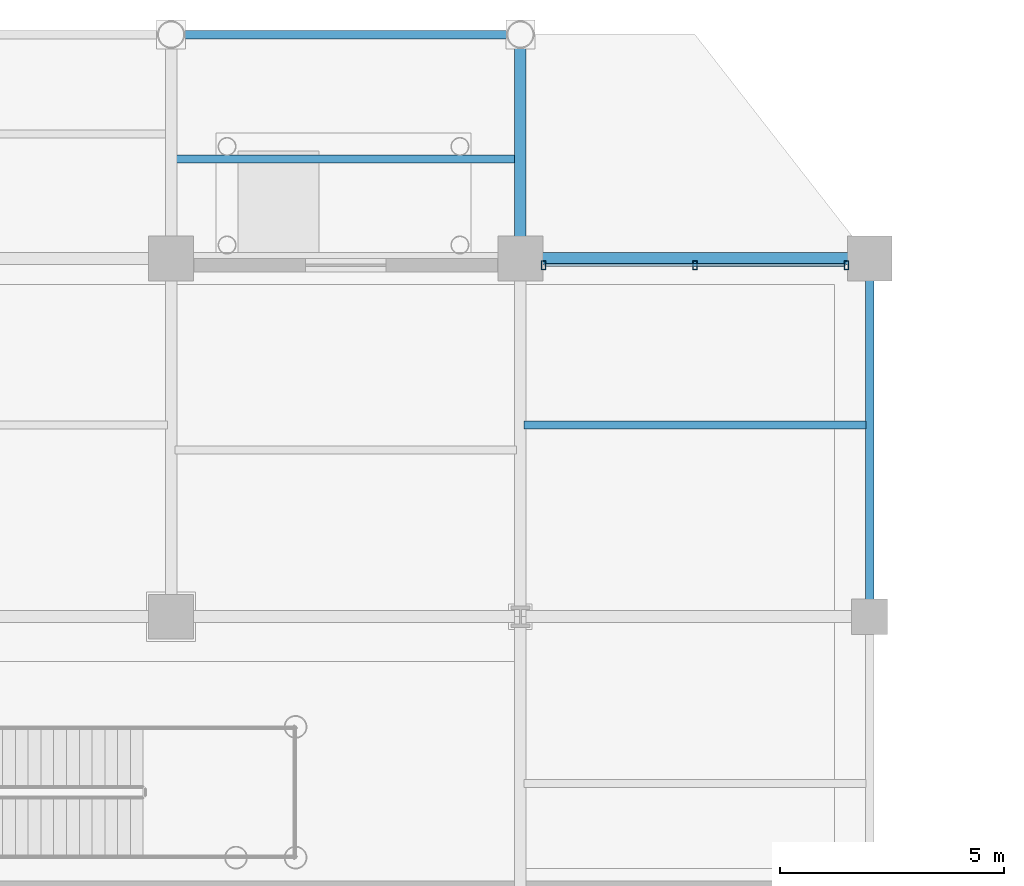
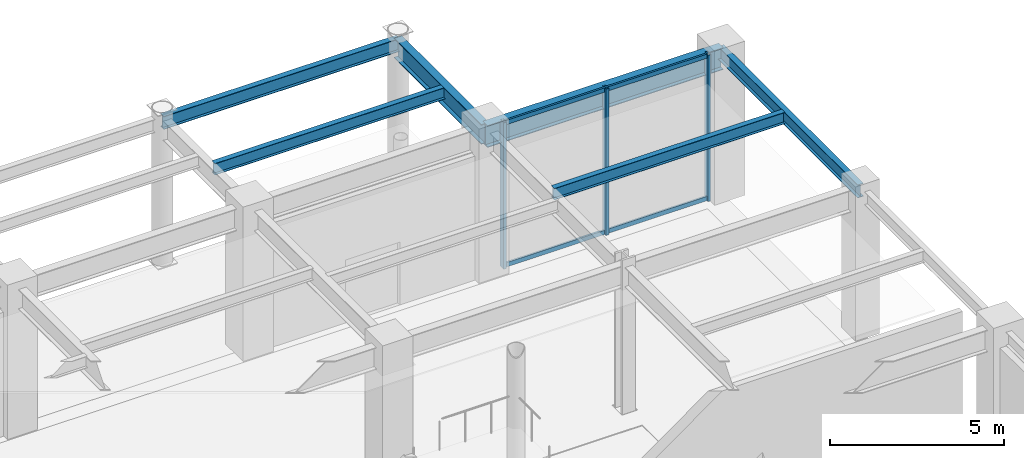
# One storey, part 17 of 27: 6 beams, 5 members, 1 element without a shape of its own.
"""IFC4 building model written with IfcOpenShell, lengths in metres."""

import ifcopenshell
import ifcopenshell.guid

model = None  # the IFC model being written
_history = None  # IfcOwnerHistory: only IFC2X3 demands one
_inside = {}  # id of a spatial element -> (the spatial element, [elements in it])
_under = {}  # id of a project, library or spatial element -> (it, [spatial elements below it])
_declared = {}  # id of a project -> (the project, [libraries it declares])
_typed = {}  # id of a type object -> (the type object, [elements of that type])
_made_of = {}  # id of a material, layer set ... -> (it, [elements and type objects made of it])


def new_model(schema):
    """Start an empty IFC model of exactly this schema.

    Asked for "IFC4X3", IfcOpenShell would pick the latest addendum, in which some entities
    have other attributes; the version numbers below select the first issue.
    IFC2X3 requires an IfcOwnerHistory on every rooted entity: one is made here for all.
    """
    global model, _history
    if schema == "IFC4X3":
        model = ifcopenshell.file(schema_version=(4, 3, 0, 0))
    else:
        model = ifcopenshell.file(schema=schema)
    _inside.clear()
    _under.clear()
    _declared.clear()
    _typed.clear()
    _made_of.clear()
    _history = None
    if model.schema == "IFC2X3":
        org = make("IfcOrganization", Name="unknown")
        user = make(
            "IfcPersonAndOrganization",
            ThePerson=make("IfcPerson", FamilyName="unknown"),
            TheOrganization=org,
        )
        app = make(
            "IfcApplication",
            ApplicationDeveloper=org,
            Version="unknown",
            ApplicationFullName="unknown",
            ApplicationIdentifier="unknown",
        )
        _history = make(
            "IfcOwnerHistory",
            OwningUser=user,
            OwningApplication=app,
            ChangeAction="ADDED",
            CreationDate=0,
        )
    return model


def make(cls, **values):
    """One entity of the class cls with the attributes given. An attribute that is None is left unset."""
    return model.create_entity(
        cls, **{name: value for name, value in values.items() if value is not None}
    )


def rooted(cls, **values):
    """An entity with a GlobalId (a new one), such as an element, a storey or a relation."""
    return make(cls, GlobalId=ifcopenshell.guid.new(), OwnerHistory=_history, **values)


def si_unit(unit_type, name, prefix=None):
    """IfcSIUnit, for example si_unit("LENGTHUNIT", "METRE", prefix="MILLI")."""
    return make("IfcSIUnit", UnitType=unit_type, Prefix=prefix, Name=name)


def assignment(units):
    """IfcUnitAssignment: the units of a project."""
    return None if units is None else make("IfcUnitAssignment", Units=units)


def point(xyz):
    """IfcCartesianPoint."""
    return None if xyz is None else make("IfcCartesianPoint", Coordinates=xyz)


def direction(xyz):
    """IfcDirection."""
    return None if xyz is None else make("IfcDirection", DirectionRatios=xyz)


def frame(location, z_axis=None, x_axis=None):
    """IfcAxis2Placement3D, a coordinate frame: its origin and axes. An axis left out is left unset."""
    return make(
        "IfcAxis2Placement3D",
        Location=point(location),
        Axis=direction(z_axis),
        RefDirection=direction(x_axis),
    )


def frame_2d(location, x_axis=None):
    """IfcAxis2Placement2D, a coordinate frame in the plane: its origin and x axis."""
    return make(
        "IfcAxis2Placement2D", Location=point(location), RefDirection=direction(x_axis)
    )


def origin():
    """The frame at (0, 0, 0) with its axes left unset."""
    return frame((0.0, 0.0, 0.0))


def origin_2d():
    """The frame at (0, 0) in the plane with its x axis left unset."""
    return frame_2d((0.0, 0.0))


def place(relative_to, where):
    """IfcLocalPlacement: puts the frame where relative to a parent placement (None: the world)."""
    return make(
        "IfcLocalPlacement", PlacementRelTo=relative_to, RelativePlacement=where
    )


def context(
    kind, dimensions, precision=None, world=None, true_north=None, identifier=None
):
    """IfcGeometricRepresentationContext, for example the 3D "Model" context."""
    return make(
        "IfcGeometricRepresentationContext",
        ContextIdentifier=identifier,
        ContextType=kind,
        CoordinateSpaceDimension=dimensions,
        Precision=precision,
        WorldCoordinateSystem=world,
        TrueNorth=true_north,
    )


def subcontext(parent, identifier, kind, view, scale=None):
    """IfcGeometricRepresentationSubContext, for example "Body" below "Model"."""
    return make(
        "IfcGeometricRepresentationSubContext",
        ContextIdentifier=identifier,
        ContextType=kind,
        ParentContext=parent,
        TargetScale=scale,
        TargetView=view,
    )


def project(units=None, contexts=None):
    """IfcProject with its units and contexts."""
    return rooted(
        "IfcProject",
        Name="project",
        RepresentationContexts=contexts,
        UnitsInContext=assignment(units),
    )


def spatial(cls, under=None, at=None, **own):
    """A site, building, storey or space (cls), placed at a placement, below another one or the project."""
    s = rooted(cls, ObjectPlacement=at, **own)
    if under is not None:
        _under.setdefault(under.id(), (under, []))[1].append(s)
    return s


def profile(cls, at=None, kind="AREA", **sizes):
    """A parametric profile (cls). Its sizes go by their IFC names, for example OverallWidth=200.0."""
    return make(cls, ProfileType=kind, Position=at, **sizes)


def hollow_rectangle(**sizes):
    """IfcRectangleHollowProfileDef."""
    return profile("IfcRectangleHollowProfileDef", **sizes)


def i_section(**sizes):
    """IfcIShapeProfileDef."""
    return profile("IfcIShapeProfileDef", **sizes)


def extrude(swept, where, along, depth):
    """IfcExtrudedAreaSolid: the profile swept, set in the frame where, extruded along a direction by depth."""
    return make(
        "IfcExtrudedAreaSolid",
        SweptArea=swept,
        Position=where,
        ExtrudedDirection=direction(along),
        Depth=depth,
    )


def shape(context_of_items, identifier, shape_type, items):
    """IfcShapeRepresentation: the items that make up one representation, for example the "Body"."""
    return make(
        "IfcShapeRepresentation",
        ContextOfItems=context_of_items,
        RepresentationIdentifier=identifier,
        RepresentationType=shape_type,
        Items=items,
    )


def material(Name=None, Category=None):
    """IfcMaterial."""
    return make("IfcMaterial", Name=Name, Category=Category)


def layer(
    of_material, thickness, ventilated=None, Name=None, Category=None, Priority=None
):
    """IfcMaterialLayer: one layer of a wall or slab, of a material (None: an air gap)."""
    return make(
        "IfcMaterialLayer",
        Material=of_material,
        LayerThickness=thickness,
        IsVentilated=ventilated,
        Name=Name,
        Category=Category,
        Priority=Priority,
    )


def layer_set(layers, Name=None):
    """IfcMaterialLayerSet."""
    return make("IfcMaterialLayerSet", MaterialLayers=layers, LayerSetName=Name)


def material_profile(
    of_material, cross_section, Name=None, Category=None, Priority=None
):
    """IfcMaterialProfile: a cross section and its material."""
    return make(
        "IfcMaterialProfile",
        Name=Name,
        Material=of_material,
        Profile=cross_section,
        Priority=Priority,
        Category=Category,
    )


def profile_set(profiles, Name=None, composite=None):
    """IfcMaterialProfileSet."""
    return make(
        "IfcMaterialProfileSet",
        Name=Name,
        MaterialProfiles=profiles,
        CompositeProfile=composite,
    )


def made_of(thing, what):
    """Note that an element or type object is made of a material, layer set ...; save() writes the relation."""
    if what is not None:
        _made_of.setdefault(what.id(), (what, []))[1].append(thing)
    return thing


def type_object(cls, material=None, **own):
    """A type object (cls), such as IfcWallType, which elements share."""
    return made_of(rooted(cls, **own), material)


def element(
    cls,
    number,
    at=None,
    inside=None,
    cuts=None,
    type_object=None,
    material=None,
    context=None,
    identifier="Body",
    shape_type=None,
    held_by="IfcProductDefinitionShape",
    body=None,
    shapes=None,
    **own,
):
    """One element of the class cls, such as IfcWall. Its Tag is "e" and its number.

    at: its placement. inside: the storey or other place that contains it. cuts: it is an
    opening in that element (IfcRelVoidsElement). A single representation is given by context,
    identifier, shape_type and body (its items); several are given by shapes. held_by: the class
    of the entity that holds the representations. save() writes the other relations.
    """
    e = rooted(cls, Tag="e%d" % number, ObjectPlacement=at, **own)
    if body is not None:
        shapes = [shape(context, identifier, shape_type, body)]
    if shapes is not None:
        e.Representation = make(held_by, Representations=shapes)
    if inside is not None:
        _inside.setdefault(inside.id(), (inside, []))[1].append(e)
    if cuts is not None:
        rooted(
            "IfcRelVoidsElement", RelatingBuildingElement=cuts, RelatedOpeningElement=e
        )
    if type_object is not None:
        _typed.setdefault(type_object.id(), (type_object, []))[1].append(e)
    return made_of(e, material)


def aggregate(whole, parts):
    """IfcRelAggregates: a whole, such as a stair, and the parts it consists of."""
    return rooted("IfcRelAggregates", RelatingObject=whole, RelatedObjects=parts)


def save(model, path):
    """Write the relations noted so far, then the file.

    IfcRelAggregates (storeys below a building ...), IfcRelContainedInSpatialStructure (elements
    in a storey), IfcRelDefinesByType, IfcRelAssociatesMaterial and IfcRelDeclares: one each for
    every whole, place, type object, material and project.
    """
    for whole, parts in _under.values():
        aggregate(whole, parts)
    for where, things in _inside.values():
        rooted(
            "IfcRelContainedInSpatialStructure",
            RelatedElements=things,
            RelatingStructure=where,
        )
    for kind, things in _typed.values():
        rooted("IfcRelDefinesByType", RelatedObjects=things, RelatingType=kind)
    for what, things in _made_of.values():
        rooted("IfcRelAssociatesMaterial", RelatedObjects=things, RelatingMaterial=what)
    for by, libraries in _declared.values():
        rooted("IfcRelDeclares", RelatingContext=by, RelatedDefinitions=libraries)
    model.write(path)


model = new_model("IFC4")

# Units and contexts
model_context = context("Model", 3, precision=1e-05, world=origin(), true_north=direction((0.0, 1.0)))
body_context = subcontext(model_context, "Body", "Model", "MODEL_VIEW")
ifc_project = project(units=[si_unit("LENGTHUNIT", "METRE"), si_unit("AREAUNIT", "SQUARE_METRE"), si_unit("VOLUMEUNIT", "CUBIC_METRE"), si_unit("PLANEANGLEUNIT", "RADIAN"), si_unit("MASSUNIT", "GRAM", prefix="KILO")], contexts=[model_context])

# Site, building, storey
site_placement = place(None, origin())
site = spatial("IfcSite", under=ifc_project, at=site_placement, CompositionType="ELEMENT")
building_placement = place(site_placement, origin())
building = spatial("IfcBuilding", under=site, at=building_placement, Name="Veymaron Broadcast Tower", CompositionType="ELEMENT")
storey_placement = place(building_placement, origin())
storey = spatial("IfcBuildingStorey", under=building, at=storey_placement, Name="L00", CompositionType="ELEMENT", Elevation=0.0)

# Beams
ifc_material_1 = material(Name="Structural steel ASTM A992 Gr 50", Category="steel")
ifc_material_profile_1 = material_profile(ifc_material_1, i_section(OverallWidth=0.177978515625, OverallDepth=0.406982421875, WebThickness=0.0078125, FlangeThickness=0.0126953125, at=origin_2d()), Name="W410X60")
ifc_profile_set_1 = profile_set([ifc_material_profile_1], Name="Structural steel ASTM A992 Gr 50")
beam_type_1 = type_object("IfcBeamType", Name="BM-JS1", PredefinedType="JOIST", material=ifc_profile_set_1)
for number, where, z_axis, x_axis, name in (
    (1, (46.885009765625, 50.219970703125, 4.91650390625), (1.0, 0.0, 0.0), (0.0, 1.0, 0.0), "L00 podium secondary floor joist"),
    (2, (54.68505859375, 44.280029296875, 4.91650390625), (1.0, 0.0, 0.0), (0.0, 1.0, 0.0), "L00 podium secondary floor joist"),
):
    element("IfcBeam", number, at=place(storey_placement, frame(where, z_axis=z_axis, x_axis=x_axis)), inside=storey, type_object=beam_type_1, Name=name, PredefinedType="JOIST", context=body_context, shape_type="SweptSolid", body=[
        extrude(i_section(OverallWidth=0.177978515625, OverallDepth=0.406982421875, WebThickness=0.0078125, FlangeThickness=0.0126953125, at=origin_2d()), origin(), (0.0, 0.0, 1.0), 7.6298828125),
    ])
ifc_material_profile_2 = material_profile(ifc_material_1, i_section(OverallWidth=0.26806640625, OverallDepth=0.77001953125, WebThickness=0.015625, FlangeThickness=0.025390625, at=origin_2d()), Name="W760X196")
ifc_profile_set_2 = profile_set([ifc_material_profile_2], Name="Structural steel ASTM A992 Gr 50")
beam_type_2 = type_object("IfcBeamType", Name="BM-PG1", PredefinedType="BEAM", material=ifc_profile_set_2)
beam_1_placement = place(storey_placement, frame((54.60009765625, 48.0, 4.735107421875), z_axis=(1.0, 0.0, 0.0), x_axis=(0.0, 1.0, 0.0)))
element("IfcBeam", 3, at=beam_1_placement, inside=storey, type_object=beam_type_2, Name="L00 podium primary X-girder", PredefinedType="BEAM", context=body_context, shape_type="SweptSolid", body=[
    extrude(i_section(OverallWidth=0.26806640625, OverallDepth=0.77001953125, WebThickness=0.015625, FlangeThickness=0.025390625, at=origin_2d()), origin(), (0.0, 0.0, 1.0), 7.7998046875),
])
ifc_material_profile_3 = material_profile(ifc_material_1, i_section(OverallWidth=0.256103515625, OverallDepth=0.693115234375, WebThickness=0.014404296875, FlangeThickness=0.023681640625, at=origin_2d()), Name="W690X170")
ifc_profile_set_3 = profile_set([ifc_material_profile_3], Name="Structural steel ASTM A992 Gr 50")
beam_type_3 = type_object("IfcBeamType", Name="BM-PG2", PredefinedType="BEAM", material=ifc_profile_set_3)
beam_2_placement = place(storey_placement, frame((54.60009765625, 48.0, 4.7734375), z_axis=(0.0, 1.0, 0.0), x_axis=(-1.0, 0.0, 0.0)))
element("IfcBeam", 4, at=beam_2_placement, inside=storey, type_object=beam_type_3, Name="L00 podium primary Y-girder", PredefinedType="BEAM", context=body_context, shape_type="SweptSolid", body=[
    extrude(i_section(OverallWidth=0.256103515625, OverallDepth=0.693115234375, WebThickness=0.014404296875, FlangeThickness=0.023681640625, at=origin_2d()), origin(), (0.0, 0.0, 1.0), 5.0),
])
ifc_material_profile_4 = material_profile(ifc_material_1, i_section(OverallWidth=0.19091796875, OverallDepth=0.4599609375, WebThickness=0.010009765625, FlangeThickness=0.01611328125, at=origin_2d()), Name="W460X82")
ifc_profile_set_4 = profile_set([ifc_material_profile_4], Name="Structural steel ASTM A992 Gr 50")
beam_type_4 = type_object("IfcBeamType", Name="BM-SP1", PredefinedType="SPANDREL", material=ifc_profile_set_4)
beam_3_placement = place(storey_placement, frame((46.800048828125, 53.0, 4.889892578125), z_axis=(1.0, 0.0, 0.0), x_axis=(0.0, 1.0, 0.0)))
element("IfcBeam", 5, at=beam_3_placement, inside=storey, type_object=beam_type_4, Name="L00 podium primary X-girder", PredefinedType="SPANDREL", context=body_context, shape_type="SweptSolid", body=[
    extrude(i_section(OverallWidth=0.19091796875, OverallDepth=0.4599609375, WebThickness=0.010009765625, FlangeThickness=0.01611328125, at=origin_2d()), origin(), (0.0, 0.0, 1.0), 7.800048828125),
])
beam_4_placement = place(storey_placement, frame((62.39990234375, 40.0, 4.889892578125), z_axis=(0.0, 1.0, 0.0), x_axis=(-1.0, 0.0, 0.0)))
element("IfcBeam", 6, at=beam_4_placement, inside=storey, type_object=beam_type_4, Name="L00 podium primary Y-girder", PredefinedType="SPANDREL", context=body_context, shape_type="SweptSolid", body=[
    extrude(i_section(OverallWidth=0.19091796875, OverallDepth=0.4599609375, WebThickness=0.010009765625, FlangeThickness=0.01611328125, at=origin_2d()), origin(), (0.0, 0.0, 1.0), 8.0),
])

# Curtain wall, members
ifc_material_2 = material(Name="Anodised aluminium AA 6063-T6 and laminated low-E dark glass", Category="aluminium")
ifc_layer = layer(ifc_material_2, 0.179931640625)
ifc_layer_set = layer_set([ifc_layer], Name="Anodised aluminium AA 6063-T6 and laminated low-E dark glass")
curtain_wall_type = type_object("IfcCurtainWallType", Name="CW-SYS-01", PredefinedType="NOTDEFINED", material=ifc_layer_set)
curtain_wall_placement = place(storey_placement, origin())
curtain_wall = element("IfcCurtainWall", 7, at=curtain_wall_placement, inside=storey, type_object=curtain_wall_type, Name="L00 dark-glass curtain wall CW-L00-11", PredefinedType="NOTDEFINED")
ifc_material_3 = material(Name="Anodised aluminium AA 6063-T6", Category="aluminium")
ifc_material_profile_5 = material_profile(ifc_material_3, hollow_rectangle(XDim=0.10009765625, YDim=0.199951171875, WallThickness=0.010009765625, at=origin_2d()), Name="RHS200X100X10")
ifc_profile_set_5 = profile_set([ifc_material_profile_5], Name="Anodised aluminium AA 6063-T6")
member_type_1 = type_object("IfcMemberType", Name="CW-MUL-01", PredefinedType="MULLION", material=ifc_profile_set_5)
member_1_placement = place(storey_placement, frame((55.117919921875, 47.85009765625, 0.0), z_axis=(0.0, 0.0, 1.0), x_axis=(1.0, 0.0, 0.0)))
member_1 = element("IfcMember", 8, at=member_1_placement, type_object=member_type_1, Name="CW-L00-11 mullion 0", PredefinedType="MULLION", context=body_context, shape_type="SweptSolid", body=[
    extrude(hollow_rectangle(XDim=0.10009765625, YDim=0.199951171875, WallThickness=0.010009765625, at=origin_2d()), origin(), (0.0, 0.0, 1.0), 5.1201171875),
])
member_2_placement = place(storey_placement, frame((58.5, 47.85009765625, 0.0), z_axis=(0.0, 0.0, 1.0), x_axis=(1.0, 0.0, 0.0)))
member_2 = element("IfcMember", 9, at=member_2_placement, type_object=member_type_1, Name="CW-L00-11 mullion 1", PredefinedType="MULLION", context=body_context, shape_type="SweptSolid", body=[
    extrude(hollow_rectangle(XDim=0.10009765625, YDim=0.199951171875, WallThickness=0.010009765625, at=origin_2d()), origin(), (0.0, 0.0, 1.0), 5.1201171875),
])
member_3_placement = place(storey_placement, frame((61.882080078125, 47.85009765625, 0.0), z_axis=(0.0, 0.0, 1.0), x_axis=(1.0, 0.0, 0.0)))
member_3 = element("IfcMember", 10, at=member_3_placement, type_object=member_type_1, Name="CW-L00-11 mullion 2", PredefinedType="MULLION", context=body_context, shape_type="SweptSolid", body=[
    extrude(hollow_rectangle(XDim=0.10009765625, YDim=0.199951171875, WallThickness=0.010009765625, at=origin_2d()), origin(), (0.0, 0.0, 1.0), 5.1201171875),
])
ifc_material_profile_6 = material_profile(ifc_material_3, hollow_rectangle(XDim=0.06494140625, YDim=0.14990234375, WallThickness=0.00390625, at=origin_2d()), Name="AL150X65X4")
ifc_profile_set_6 = profile_set([ifc_material_profile_6], Name="Anodised aluminium AA 6063-T6")
member_type_2 = type_object("IfcMemberType", Name="CW-TRN-01", PredefinedType="USERDEFINED", material=ifc_profile_set_6)
member_4_placement = place(storey_placement, frame((55.16796875, 47.85009765625, 0.070068359375), z_axis=(1.0, 0.0, 0.0), x_axis=(0.0, 1.0, 0.0)))
member_4 = element("IfcMember", 11, at=member_4_placement, type_object=member_type_2, Name="CW-L00-11 transom B", ObjectType="TRANSOM", PredefinedType="USERDEFINED", context=body_context, shape_type="SweptSolid", body=[
    extrude(hollow_rectangle(XDim=0.06494140625, YDim=0.14990234375, WallThickness=0.00390625, at=origin_2d()), origin(), (0.0, 0.0, 1.0), 6.6640625),
])
member_5_placement = place(storey_placement, frame((55.16796875, 47.85009765625, 5.050048828125), z_axis=(1.0, 0.0, 0.0), x_axis=(0.0, 1.0, 0.0)))
member_5 = element("IfcMember", 12, at=member_5_placement, type_object=member_type_2, Name="CW-L00-11 transom T", ObjectType="TRANSOM", PredefinedType="USERDEFINED", context=body_context, shape_type="SweptSolid", body=[
    extrude(hollow_rectangle(XDim=0.06494140625, YDim=0.14990234375, WallThickness=0.00390625, at=origin_2d()), origin(), (0.0, 0.0, 1.0), 6.6640625),
])
aggregate(curtain_wall, [member_1, member_2, member_3, member_4, member_5])

save(model, "model.ifc")
